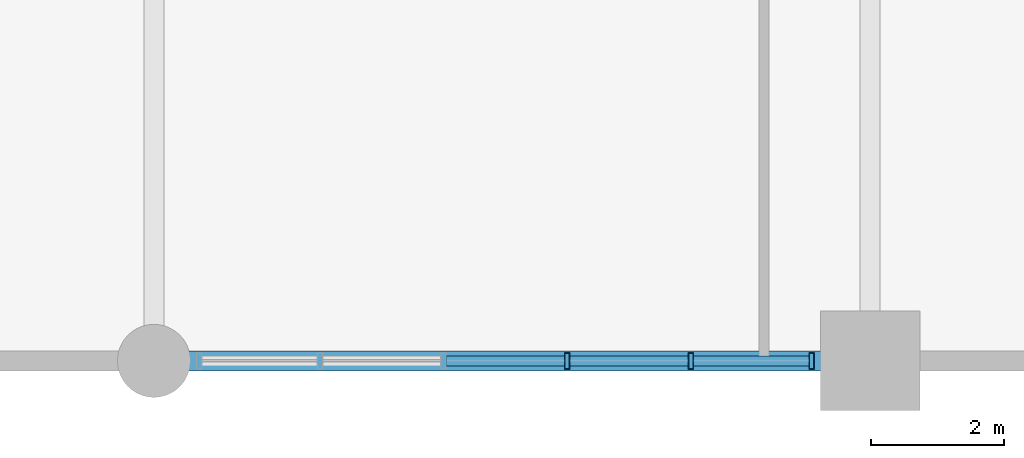
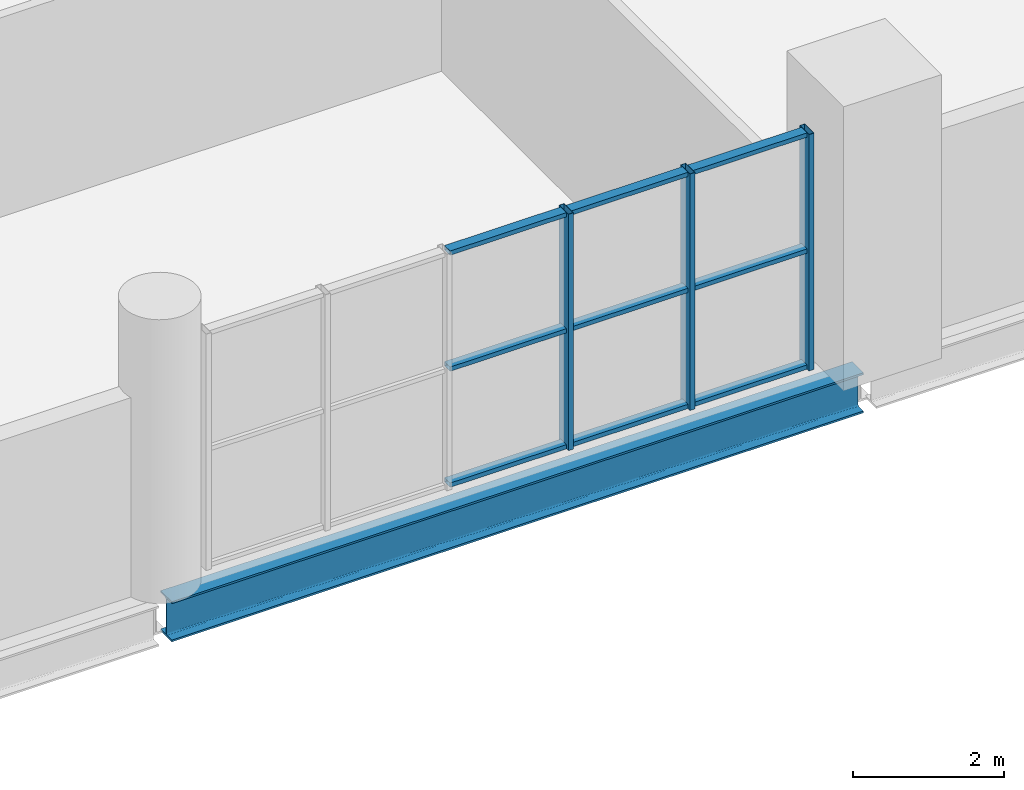
# One storey, part 7 of 16: 12 members, 1 beam, 1 element without a shape of its own.
"""IFC4 building model written with IfcOpenShell, lengths in metres."""

from ifc_helpers import new_model, si_unit, direction, frame, origin, origin_2d, place, context, subcontext, project, spatial, hollow_rectangle, i_section, extrude, material, layer, layer_set, material_profile, profile_set, type_object, element, aggregate, save


model = new_model("IFC4")

# Units and contexts
model_context = context("Model", 3, precision=1e-05, world=origin(), true_north=direction((0.0, 1.0)))
body_context = subcontext(model_context, "Body", "Model", "MODEL_VIEW")
ifc_project = project(units=[si_unit("LENGTHUNIT", "METRE"), si_unit("AREAUNIT", "SQUARE_METRE"), si_unit("VOLUMEUNIT", "CUBIC_METRE"), si_unit("PLANEANGLEUNIT", "RADIAN"), si_unit("MASSUNIT", "GRAM", prefix="KILO")], contexts=[model_context])

# Site, building, storey
site_placement = place(None, origin())
site = spatial("IfcSite", under=ifc_project, at=site_placement, CompositionType="ELEMENT")
building_placement = place(site_placement, origin())
building = spatial("IfcBuilding", under=site, at=building_placement, Name="Solnavia Interchange Tower", CompositionType="ELEMENT")
storey_placement = place(building_placement, frame((0.0, 0.0, 10.199951171875)))
storey = spatial("IfcBuildingStorey", under=building, at=storey_placement, Name="L02", CompositionType="ELEMENT", Elevation=10.199951171875)

# Beam
ifc_material_1 = material(Name="Steel S460", Category="steel")
ifc_material_profile_1 = material_profile(ifc_material_1, i_section(OverallWidth=0.300048828125, OverallDepth=0.64990234375, WebThickness=0.01611328125, FlangeThickness=0.031005859375, FilletRadius=0.027099609375, at=origin_2d()), Name="HEB 650")
ifc_profile_set_1 = profile_set([ifc_material_profile_1], Name="Steel S460")
beam_type = type_object("IfcBeamType", Name="Beam-Girder-HEB650", PredefinedType="BEAM", material=ifc_profile_set_1)
beam_placement = place(storey_placement, frame((54.10009765625, 0.0, -0.625), z_axis=(1.0, 0.0, 0.0), x_axis=(0.0, 1.0, 0.0)))
element("IfcBeam", 1, at=beam_placement, inside=storey, type_object=beam_type, Name="GRD-L02-06 Podium primary girder", PredefinedType="BEAM", context=body_context, shape_type="SweptSolid", body=[
    extrude(i_section(OverallWidth=0.300048828125, OverallDepth=0.64990234375, WebThickness=0.01611328125, FlangeThickness=0.031005859375, FilletRadius=0.027099609375, at=origin_2d()), origin(), (0.0, 0.0, 1.0), 10.599853515625),
])

# Curtain wall, members
ifc_material_2 = material(Name="Aluminium Alloy 6063-T6", Category="aluminium")
ifc_layer = layer(ifc_material_2, 0.27001953125)
ifc_layer_set = layer_set([ifc_layer], Name="Aluminium Alloy 6063-T6")
curtain_wall_type = type_object("IfcCurtainWallType", Name="CurtainWall-Podium-CTW1", PredefinedType="NOTDEFINED", material=ifc_layer_set)
curtain_wall_placement = place(storey_placement, origin())
curtain_wall = element("IfcCurtainWall", 2, at=curtain_wall_placement, inside=storey, type_object=curtain_wall_type, Name="CTW-L02-S06 CTW-1 curtain wall", PredefinedType="NOTDEFINED")
ifc_material_profile_2 = material_profile(ifc_material_2, hollow_rectangle(XDim=0.080078125, YDim=0.25, WallThickness=0.006103515625, at=origin_2d()), Name="ALU 250x80x6")
ifc_profile_set_2 = profile_set([ifc_material_profile_2], Name="Aluminium Alloy 6063-T6")
member_type_1 = type_object("IfcMemberType", Name="CW-Mullion-CWM-1", PredefinedType="MULLION", material=ifc_profile_set_2)
member_1_placement = place(storey_placement, frame((63.919921875, 0.0, 0.0), z_axis=(0.0, 0.0, 1.0), x_axis=(-1.0, 0.0, 0.0)))
member_1 = element("IfcMember", 3, at=member_1_placement, type_object=member_type_1, Name="CTW-1 mullion 1", PredefinedType="MULLION", context=body_context, shape_type="SweptSolid", body=[
    extrude(hollow_rectangle(XDim=0.080078125, YDim=0.25, WallThickness=0.006103515625, at=origin_2d()), origin(), (0.0, 0.0, 1.0), 3.830078125),
])
member_2_placement = place(storey_placement, frame((62.095947265625, 0.0, 0.0), z_axis=(0.0, 0.0, 1.0), x_axis=(-1.0, 0.0, 0.0)))
member_2 = element("IfcMember", 4, at=member_2_placement, type_object=member_type_1, Name="CTW-1 mullion 2", PredefinedType="MULLION", context=body_context, shape_type="SweptSolid", body=[
    extrude(hollow_rectangle(XDim=0.080078125, YDim=0.25, WallThickness=0.006103515625, at=origin_2d()), origin(), (0.0, 0.0, 1.0), 3.830078125),
])
member_3_placement = place(storey_placement, frame((60.23193359375, 0.0, 0.0), z_axis=(0.0, 0.0, 1.0), x_axis=(-1.0, 0.0, 0.0)))
member_3 = element("IfcMember", 5, at=member_3_placement, type_object=member_type_1, Name="CTW-1 mullion 3", PredefinedType="MULLION", context=body_context, shape_type="SweptSolid", body=[
    extrude(hollow_rectangle(XDim=0.080078125, YDim=0.25, WallThickness=0.006103515625, at=origin_2d()), origin(), (0.0, 0.0, 1.0), 3.830078125),
])
ifc_material_profile_3 = material_profile(ifc_material_2, hollow_rectangle(XDim=0.070068359375, YDim=0.14990234375, WallThickness=0.00439453125, at=origin_2d()), Name="ALU 150x70x4.5")
ifc_profile_set_3 = profile_set([ifc_material_profile_3], Name="Aluminium Alloy 6063-T6")
member_type_2 = type_object("IfcMemberType", Name="CW-Transom-CWT-1", PredefinedType="USERDEFINED", material=ifc_profile_set_3)
member_4_placement = place(storey_placement, frame((63.8798828125, 0.0, 0.03515625), z_axis=(-1.0, 0.0, 0.0), x_axis=(0.0, 0.0, 1.0)))
member_4 = element("IfcMember", 6, at=member_4_placement, type_object=member_type_2, Name="CTW-1 transom 1.1", ObjectType="TRANSOM", PredefinedType="USERDEFINED", context=body_context, shape_type="SweptSolid", body=[
    extrude(hollow_rectangle(XDim=0.070068359375, YDim=0.14990234375, WallThickness=0.00439453125, at=origin_2d()), origin(), (0.0, 0.0, 1.0), 1.743896484375),
])
member_5_placement = place(storey_placement, frame((63.8798828125, 0.0, 1.9150390625), z_axis=(-1.0, 0.0, 0.0), x_axis=(0.0, 0.0, 1.0)))
member_5 = element("IfcMember", 7, at=member_5_placement, type_object=member_type_2, Name="CTW-1 transom 1.2", ObjectType="TRANSOM", PredefinedType="USERDEFINED", context=body_context, shape_type="SweptSolid", body=[
    extrude(hollow_rectangle(XDim=0.070068359375, YDim=0.14990234375, WallThickness=0.00439453125, at=origin_2d()), origin(), (0.0, 0.0, 1.0), 1.743896484375),
])
member_6_placement = place(storey_placement, frame((63.8798828125, 0.0, 3.795166015625), z_axis=(-1.0, 0.0, 0.0), x_axis=(0.0, 0.0, 1.0)))
member_6 = element("IfcMember", 8, at=member_6_placement, type_object=member_type_2, Name="CTW-1 transom 1.3", ObjectType="TRANSOM", PredefinedType="USERDEFINED", context=body_context, shape_type="SweptSolid", body=[
    extrude(hollow_rectangle(XDim=0.070068359375, YDim=0.14990234375, WallThickness=0.00439453125, at=origin_2d()), origin(), (0.0, 0.0, 1.0), 1.743896484375),
])
member_7_placement = place(storey_placement, frame((62.055908203125, 0.0, 0.03515625), z_axis=(-1.0, 0.0, 0.0), x_axis=(0.0, 0.0, 1.0)))
member_7 = element("IfcMember", 9, at=member_7_placement, type_object=member_type_2, Name="CTW-1 transom 2.1", ObjectType="TRANSOM", PredefinedType="USERDEFINED", context=body_context, shape_type="SweptSolid", body=[
    extrude(hollow_rectangle(XDim=0.070068359375, YDim=0.14990234375, WallThickness=0.00439453125, at=origin_2d()), origin(), (0.0, 0.0, 1.0), 1.783935546875),
])
member_8_placement = place(storey_placement, frame((62.055908203125, 0.0, 1.9150390625), z_axis=(-1.0, 0.0, 0.0), x_axis=(0.0, 0.0, 1.0)))
member_8 = element("IfcMember", 10, at=member_8_placement, type_object=member_type_2, Name="CTW-1 transom 2.2", ObjectType="TRANSOM", PredefinedType="USERDEFINED", context=body_context, shape_type="SweptSolid", body=[
    extrude(hollow_rectangle(XDim=0.070068359375, YDim=0.14990234375, WallThickness=0.00439453125, at=origin_2d()), origin(), (0.0, 0.0, 1.0), 1.783935546875),
])
member_9_placement = place(storey_placement, frame((62.055908203125, 0.0, 3.795166015625), z_axis=(-1.0, 0.0, 0.0), x_axis=(0.0, 0.0, 1.0)))
member_9 = element("IfcMember", 11, at=member_9_placement, type_object=member_type_2, Name="CTW-1 transom 2.3", ObjectType="TRANSOM", PredefinedType="USERDEFINED", context=body_context, shape_type="SweptSolid", body=[
    extrude(hollow_rectangle(XDim=0.070068359375, YDim=0.14990234375, WallThickness=0.00439453125, at=origin_2d()), origin(), (0.0, 0.0, 1.0), 1.783935546875),
])
member_10_placement = place(storey_placement, frame((60.19189453125, 0.0, 0.03515625), z_axis=(-1.0, 0.0, 0.0), x_axis=(0.0, 0.0, 1.0)))
member_10 = element("IfcMember", 12, at=member_10_placement, type_object=member_type_2, Name="CTW-1 transom 3.1", ObjectType="TRANSOM", PredefinedType="USERDEFINED", context=body_context, shape_type="SweptSolid", body=[
    extrude(hollow_rectangle(XDim=0.070068359375, YDim=0.14990234375, WallThickness=0.00439453125, at=origin_2d()), origin(), (0.0, 0.0, 1.0), 1.783935546875),
])
member_11_placement = place(storey_placement, frame((60.19189453125, 0.0, 1.9150390625), z_axis=(-1.0, 0.0, 0.0), x_axis=(0.0, 0.0, 1.0)))
member_11 = element("IfcMember", 13, at=member_11_placement, type_object=member_type_2, Name="CTW-1 transom 3.2", ObjectType="TRANSOM", PredefinedType="USERDEFINED", context=body_context, shape_type="SweptSolid", body=[
    extrude(hollow_rectangle(XDim=0.070068359375, YDim=0.14990234375, WallThickness=0.00439453125, at=origin_2d()), origin(), (0.0, 0.0, 1.0), 1.783935546875),
])
member_12_placement = place(storey_placement, frame((60.19189453125, 0.0, 3.795166015625), z_axis=(-1.0, 0.0, 0.0), x_axis=(0.0, 0.0, 1.0)))
member_12 = element("IfcMember", 14, at=member_12_placement, type_object=member_type_2, Name="CTW-1 transom 3.3", ObjectType="TRANSOM", PredefinedType="USERDEFINED", context=body_context, shape_type="SweptSolid", body=[
    extrude(hollow_rectangle(XDim=0.070068359375, YDim=0.14990234375, WallThickness=0.00439453125, at=origin_2d()), origin(), (0.0, 0.0, 1.0), 1.783935546875),
])
aggregate(curtain_wall, [member_1, member_2, member_3, member_4, member_5, member_6, member_7, member_8, member_9, member_10, member_11, member_12])

save(model, "model.ifc")
